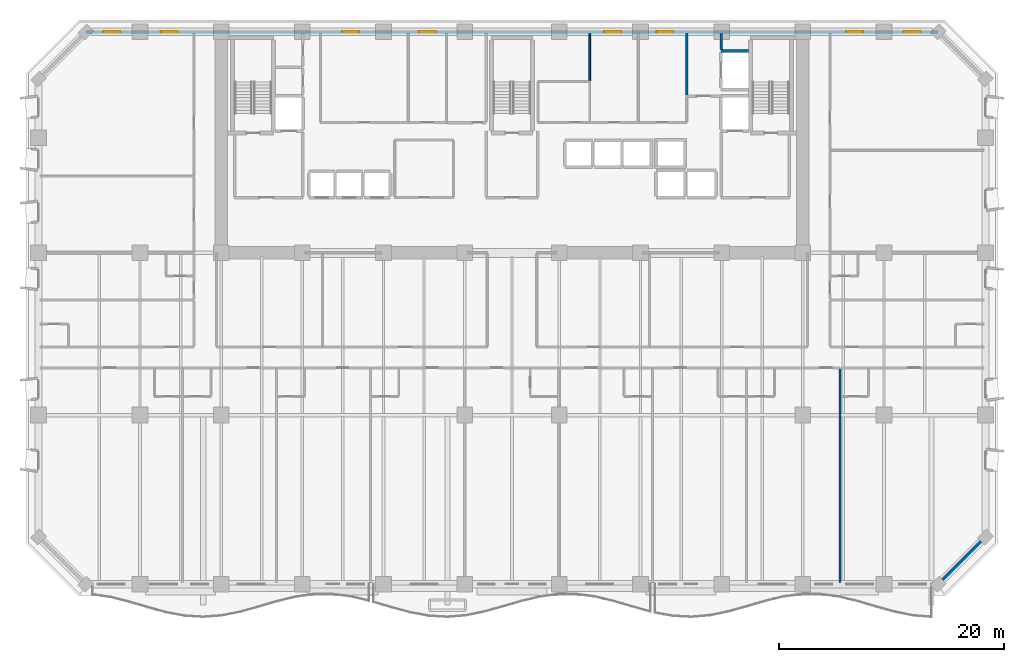
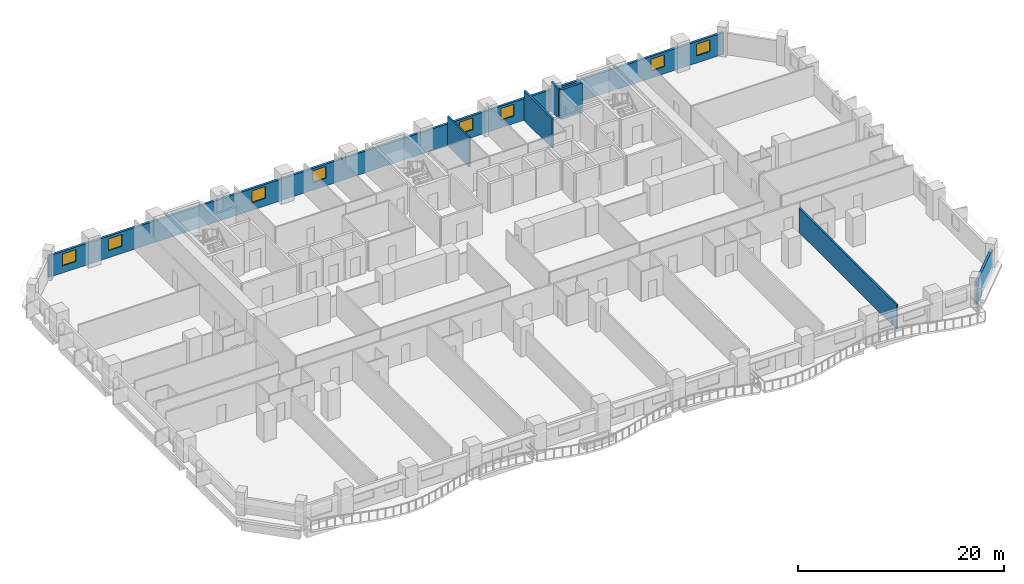
# One storey, part 9 of 15: 8 windows, 7 walls, 8 openings.
"""IFC4 building model written with IfcOpenShell, lengths in metres."""

from ifc_helpers import new_model, si_unit, direction, frame, frame_2d, origin, place, context, subcontext, project, spatial, rectangle, extrude, material, layer, layer_set, type_object, element, fill, save


model = new_model("IFC4")

# Units and contexts
model_context = context("Model", 3, precision=1e-05, world=origin(), true_north=direction((0.0, 1.0)))
body_context = subcontext(model_context, "Body", "Model", "MODEL_VIEW")
ifc_project = project(units=[si_unit("LENGTHUNIT", "METRE"), si_unit("AREAUNIT", "SQUARE_METRE"), si_unit("VOLUMEUNIT", "CUBIC_METRE"), si_unit("PLANEANGLEUNIT", "RADIAN"), si_unit("MASSUNIT", "GRAM", prefix="KILO")], contexts=[model_context])

# Site, building, storey
site_placement = place(None, origin())
site = spatial("IfcSite", under=ifc_project, at=site_placement, CompositionType="ELEMENT")
building_placement = place(site_placement, origin())
building = spatial("IfcBuilding", under=site, at=building_placement, Name="Kaelvorn Grand Hotel", CompositionType="ELEMENT")
storey_placement = place(building_placement, frame((0.0, 0.0, 72.64990234375)))
storey = spatial("IfcBuildingStorey", under=building, at=storey_placement, Name="L16", CompositionType="ELEMENT", Elevation=72.64990234375)

# Wall
ifc_material_1 = material(Name="Concrete C40/50", Category="concrete")
ifc_layer_1 = layer(ifc_material_1, 0.260009765625)
ifc_layer_set_1 = layer_set([ifc_layer_1], Name="Concrete C40/50")
wall_type_1 = type_object("IfcWallType", Name="WL-EXT-260-C40", PredefinedType="SOLIDWALL", material=ifc_layer_set_1)
wall_1_placement = place(storey_placement, frame((79.800048828125, 0.0, 0.0), z_axis=(0.0, 0.0, 1.0), x_axis=(0.707106781187, 0.707106781187, 0.0)))
element("IfcWall", 1, at=wall_1_placement, inside=storey, type_object=wall_type_1, Name="L16 Exterior Architectural Concrete Wall 02", PredefinedType="SOLIDWALL", context=body_context, shape_type="SweptSolid", body=[
    extrude(rectangle(XDim=5.939697265625, YDim=0.260009765625, at=frame_2d((2.9697265625, 0.0))), origin(), (0.0, 0.0, 1.0), 2.56005859375),
])

# Wall, openings, windows
wall_2_placement = place(storey_placement, frame((79.800048828125, 49.0, 0.0), z_axis=(0.0, 0.0, 1.0), x_axis=(-1.0, 0.0, 0.0)))
wall_2 = element("IfcWall", 2, at=wall_2_placement, inside=storey, type_object=wall_type_1, Name="L16 Exterior Architectural Concrete Wall 05", PredefinedType="SOLIDWALL", context=body_context, shape_type="SweptSolid", body=[
    extrude(rectangle(XDim=75.60009765625, YDim=0.260009765625, at=frame_2d((37.800048828125, 0.0))), origin(), (0.0, 0.0, 1.0), 2.56005859375),
])
opening_1_placement = place(wall_2_placement, frame((72.56494140625, 0.0, 0.85009765625)))
opening_1 = element("IfcOpeningElement", 3, at=opening_1_placement, cuts=wall_2, Name="Opening W10", PredefinedType="OPENING", context=body_context, shape_type="SweptSolid", body=[
    extrude(rectangle(XDim=1.5, YDim=1.39990234375, at=frame_2d((0.75, 0.699951171875))), frame((0.0, 0.14013671875, 0.0), z_axis=(0.0, -1.0, 0.0), x_axis=(1.0, 0.0, 0.0)), (0.0, 0.0, 1.0), 0.280029296875),
])
opening_2_placement = place(wall_2_placement, frame((67.449951171875, 0.0, 0.85009765625)))
opening_2 = element("IfcOpeningElement", 4, at=opening_2_placement, cuts=wall_2, Name="Opening W10", PredefinedType="OPENING", context=body_context, shape_type="SweptSolid", body=[
    extrude(rectangle(XDim=1.5, YDim=1.39990234375, at=frame_2d((0.75, 0.699951171875))), frame((0.0, 0.14013671875, 0.0), z_axis=(0.0, -1.0, 0.0), x_axis=(1.0, 0.0, 0.0)), (0.0, 0.0, 1.0), 0.280029296875),
])
opening_3_placement = place(wall_2_placement, frame((6.64990234375, 0.0, 0.85009765625)))
opening_3 = element("IfcOpeningElement", 5, at=opening_3_placement, cuts=wall_2, Name="Opening W10", PredefinedType="OPENING", context=body_context, shape_type="SweptSolid", body=[
    extrude(rectangle(XDim=1.5, YDim=1.39990234375, at=frame_2d((0.75, 0.699951171875))), frame((0.0, 0.14013671875, 0.0), z_axis=(0.0, -1.0, 0.0), x_axis=(1.0, 0.0, 0.0)), (0.0, 0.0, 1.0), 0.280029296875),
])
opening_4_placement = place(wall_2_placement, frame((1.534912109375, 0.0, 0.85009765625)))
opening_4 = element("IfcOpeningElement", 6, at=opening_4_placement, cuts=wall_2, Name="Opening W10", PredefinedType="OPENING", context=body_context, shape_type="SweptSolid", body=[
    extrude(rectangle(XDim=1.5, YDim=1.39990234375, at=frame_2d((0.75, 0.699951171875))), frame((0.0, 0.14013671875, 0.0), z_axis=(0.0, -1.0, 0.0), x_axis=(1.0, 0.0, 0.0)), (0.0, 0.0, 1.0), 0.280029296875),
])
opening_5_placement = place(wall_2_placement, frame((51.364990234375, 0.0, 0.89990234375)))
opening_5 = element("IfcOpeningElement", 7, at=opening_5_placement, cuts=wall_2, Name="Opening W10", PredefinedType="OPENING", context=body_context, shape_type="SweptSolid", body=[
    extrude(rectangle(XDim=1.5, YDim=1.39990234375, at=frame_2d((0.75, 0.699951171875))), frame((0.0, 0.14013671875, 0.0), z_axis=(0.0, -1.0, 0.0), x_axis=(1.0, 0.0, 0.0)), (0.0, 0.0, 1.0), 0.280029296875),
])
opening_6_placement = place(wall_2_placement, frame((44.550048828125, 0.0, 0.89990234375)))
opening_6 = element("IfcOpeningElement", 8, at=opening_6_placement, cuts=wall_2, Name="Opening W10", PredefinedType="OPENING", context=body_context, shape_type="SweptSolid", body=[
    extrude(rectangle(XDim=1.5, YDim=1.39990234375, at=frame_2d((0.75, 0.699951171875))), frame((0.0, 0.14013671875, 0.0), z_axis=(0.0, -1.0, 0.0), x_axis=(1.0, 0.0, 0.0)), (0.0, 0.0, 1.0), 0.280029296875),
])
opening_7_placement = place(wall_2_placement, frame((28.10009765625, 0.0, 0.89990234375)))
opening_7 = element("IfcOpeningElement", 9, at=opening_7_placement, cuts=wall_2, Name="Opening W10", PredefinedType="OPENING", context=body_context, shape_type="SweptSolid", body=[
    extrude(rectangle(XDim=1.5, YDim=1.39990234375, at=frame_2d((0.75, 0.699951171875))), frame((0.0, 0.14013671875, 0.0), z_axis=(0.0, -1.0, 0.0), x_axis=(1.0, 0.0, 0.0)), (0.0, 0.0, 1.0), 0.280029296875),
])
opening_8_placement = place(wall_2_placement, frame((23.485107421875, 0.0, 0.89990234375)))
opening_8 = element("IfcOpeningElement", 10, at=opening_8_placement, cuts=wall_2, Name="Opening W10", PredefinedType="OPENING", context=body_context, shape_type="SweptSolid", body=[
    extrude(rectangle(XDim=1.5, YDim=1.39990234375, at=frame_2d((0.75, 0.699951171875))), frame((0.0, 0.14013671875, 0.0), z_axis=(0.0, -1.0, 0.0), x_axis=(1.0, 0.0, 0.0)), (0.0, 0.0, 1.0), 0.280029296875),
])
ifc_material_2 = material(Name="Laminated Low-E Glass", Category="glass")
window_type = type_object("IfcWindowType", Name="WIN-COR-1500x1400", PartitioningType="SINGLE_PANEL", PredefinedType="WINDOW", material=ifc_material_2)
window_1_placement = place(opening_1_placement, origin())
window_1 = element("IfcWindow", 11, at=window_1_placement, inside=storey, type_object=window_type, Name="L16 North Wing Ribbon Window NW01", OverallHeight=1.39990234375, OverallWidth=1.5, PartitioningType="SINGLE_PANEL", PredefinedType="WINDOW", context=body_context, shape_type="SweptSolid", body=[
    extrude(rectangle(XDim=1.5, YDim=1.39990234375, at=frame_2d((0.75, 0.699951171875))), frame((0.0, 0.030029296875, 0.0), z_axis=(0.0, -1.0, 0.0), x_axis=(1.0, 0.0, 0.0)), (0.0, 0.0, 1.0), 0.06005859375),
])
fill(opening_1, window_1)
window_2_placement = place(opening_2_placement, origin())
window_2 = element("IfcWindow", 12, at=window_2_placement, inside=storey, type_object=window_type, Name="L16 North Wing Ribbon Window NW02", OverallHeight=1.39990234375, OverallWidth=1.5, PartitioningType="SINGLE_PANEL", PredefinedType="WINDOW", context=body_context, shape_type="SweptSolid", body=[
    extrude(rectangle(XDim=1.5, YDim=1.39990234375, at=frame_2d((0.75, 0.699951171875))), frame((0.0, 0.030029296875, 0.0), z_axis=(0.0, -1.0, 0.0), x_axis=(1.0, 0.0, 0.0)), (0.0, 0.0, 1.0), 0.06005859375),
])
fill(opening_2, window_2)
window_3_placement = place(opening_3_placement, origin())
window_3 = element("IfcWindow", 13, at=window_3_placement, inside=storey, type_object=window_type, Name="L16 North Wing Ribbon Window NW03", OverallHeight=1.39990234375, OverallWidth=1.5, PartitioningType="SINGLE_PANEL", PredefinedType="WINDOW", context=body_context, shape_type="SweptSolid", body=[
    extrude(rectangle(XDim=1.5, YDim=1.39990234375, at=frame_2d((0.75, 0.699951171875))), frame((0.0, 0.030029296875, 0.0), z_axis=(0.0, -1.0, 0.0), x_axis=(1.0, 0.0, 0.0)), (0.0, 0.0, 1.0), 0.06005859375),
])
fill(opening_3, window_3)
window_4_placement = place(opening_4_placement, origin())
window_4 = element("IfcWindow", 14, at=window_4_placement, inside=storey, type_object=window_type, Name="L16 North Wing Ribbon Window NW04", OverallHeight=1.39990234375, OverallWidth=1.5, PartitioningType="SINGLE_PANEL", PredefinedType="WINDOW", context=body_context, shape_type="SweptSolid", body=[
    extrude(rectangle(XDim=1.5, YDim=1.39990234375, at=frame_2d((0.75, 0.699951171875))), frame((0.0, 0.030029296875, 0.0), z_axis=(0.0, -1.0, 0.0), x_axis=(1.0, 0.0, 0.0)), (0.0, 0.0, 1.0), 0.06005859375),
])
fill(opening_4, window_4)
window_5_placement = place(opening_5_placement, origin())
window_5 = element("IfcWindow", 15, at=window_5_placement, inside=storey, type_object=window_type, Name="L16 North Core Clerestory Ribbon Window NC05", OverallHeight=1.39990234375, OverallWidth=1.5, PartitioningType="SINGLE_PANEL", PredefinedType="WINDOW", context=body_context, shape_type="SweptSolid", body=[
    extrude(rectangle(XDim=1.5, YDim=1.39990234375, at=frame_2d((0.75, 0.699951171875))), frame((0.0, 0.030029296875, 0.0), z_axis=(0.0, -1.0, 0.0), x_axis=(1.0, 0.0, 0.0)), (0.0, 0.0, 1.0), 0.06005859375),
])
fill(opening_5, window_5)
window_6_placement = place(opening_6_placement, origin())
window_6 = element("IfcWindow", 16, at=window_6_placement, inside=storey, type_object=window_type, Name="L16 North Core Clerestory Ribbon Window NC06", OverallHeight=1.39990234375, OverallWidth=1.5, PartitioningType="SINGLE_PANEL", PredefinedType="WINDOW", context=body_context, shape_type="SweptSolid", body=[
    extrude(rectangle(XDim=1.5, YDim=1.39990234375, at=frame_2d((0.75, 0.699951171875))), frame((0.0, 0.030029296875, 0.0), z_axis=(0.0, -1.0, 0.0), x_axis=(1.0, 0.0, 0.0)), (0.0, 0.0, 1.0), 0.06005859375),
])
fill(opening_6, window_6)
window_7_placement = place(opening_7_placement, origin())
window_7 = element("IfcWindow", 17, at=window_7_placement, inside=storey, type_object=window_type, Name="L16 North Core Clerestory Ribbon Window NC07", OverallHeight=1.39990234375, OverallWidth=1.5, PartitioningType="SINGLE_PANEL", PredefinedType="WINDOW", context=body_context, shape_type="SweptSolid", body=[
    extrude(rectangle(XDim=1.5, YDim=1.39990234375, at=frame_2d((0.75, 0.699951171875))), frame((0.0, 0.030029296875, 0.0), z_axis=(0.0, -1.0, 0.0), x_axis=(1.0, 0.0, 0.0)), (0.0, 0.0, 1.0), 0.06005859375),
])
fill(opening_7, window_7)
window_8_placement = place(opening_8_placement, origin())
window_8 = element("IfcWindow", 18, at=window_8_placement, inside=storey, type_object=window_type, Name="L16 North Core Clerestory Ribbon Window NC08", OverallHeight=1.39990234375, OverallWidth=1.5, PartitioningType="SINGLE_PANEL", PredefinedType="WINDOW", context=body_context, shape_type="SweptSolid", body=[
    extrude(rectangle(XDim=1.5, YDim=1.39990234375, at=frame_2d((0.75, 0.699951171875))), frame((0.0, 0.030029296875, 0.0), z_axis=(0.0, -1.0, 0.0), x_axis=(1.0, 0.0, 0.0)), (0.0, 0.0, 1.0), 0.06005859375),
])
fill(opening_8, window_8)

# Walls
ifc_material_3 = material(Name="Acoustic Gypsum & Stud Partition")
ifc_layer_2 = layer(ifc_material_3, 0.14990234375)
ifc_layer_set_2 = layer_set([ifc_layer_2], Name="Acoustic Gypsum & Stud Partition")
wall_type_2 = type_object("IfcWallType", Name="WL-PART-150-EI60", PredefinedType="PARTITIONING", material=ifc_layer_set_2)
wall_3_placement = place(storey_placement, frame((48.89990234375, 44.66748046875, 0.0), z_axis=(0.0, 0.0, 1.0), x_axis=(0.0, 1.0, 0.0)))
element("IfcWall", 19, at=wall_3_placement, inside=storey, type_object=wall_type_2, Name="L16 Minibar & Glassware Store W Partition", PredefinedType="PARTITIONING", context=body_context, shape_type="SweptSolid", body=[
    extrude(rectangle(XDim=4.1826171875, YDim=0.14990234375, at=frame_2d((2.09130859375, 0.0))), origin(), (0.0, 0.0, 1.0), 3.510009765625),
])
ifc_layer_3 = layer(ifc_material_3, 0.179931640625)
ifc_layer_set_3 = layer_set([ifc_layer_3], Name="Acoustic Gypsum & Stud Partition")
wall_type_3 = type_object("IfcWallType", Name="WL-PART-180-EI60", PredefinedType="PARTITIONING", material=ifc_layer_set_3)
wall_4_placement = place(storey_placement, frame((71.1162109375, 0.14990234375, 0.0), z_axis=(0.0, 0.0, 1.0), x_axis=(0.0, 1.0, 0.0)))
element("IfcWall", 20, at=wall_4_placement, inside=storey, type_object=wall_type_3, Name="L16 Deluxe Panoramic Suite L16-08 E Partition", PredefinedType="PARTITIONING", context=body_context, shape_type="SweptSolid", body=[
    extrude(rectangle(XDim=18.955078125, YDim=0.179931640625, at=frame_2d((9.4775390625, 0.0))), origin(), (0.0, 0.0, 1.0), 2.89794921875),
])
ifc_layer_4 = layer(ifc_material_1, 0.219970703125)
ifc_layer_set_4 = layer_set([ifc_layer_4], Name="Concrete C40/50")
wall_type_4 = type_object("IfcWallType", Name="WL-PART-220-EI120", PredefinedType="PARTITIONING", material=ifc_layer_set_4)
wall_5_placement = place(storey_placement, frame((57.5, 43.4150390625, 0.0), z_axis=(0.0, 0.0, 1.0), x_axis=(0.0, 1.0, 0.0)))
element("IfcWall", 21, at=wall_5_placement, inside=storey, type_object=wall_type_4, Name="L16 Service Lift Lobby W Partition", PredefinedType="PARTITIONING", context=body_context, shape_type="SweptSolid", body=[
    extrude(rectangle(XDim=5.43505859375, YDim=0.219970703125, at=frame_2d((2.717529296875, 0.0))), origin(), (0.0, 0.0, 1.0), 3.510009765625),
])
wall_6_placement = place(storey_placement, frame((60.550048828125, 47.445068359375, 0.0), z_axis=(0.0, 0.0, 1.0), x_axis=(0.0, 1.0, 0.0)))
element("IfcWall", 22, at=wall_6_placement, inside=storey, type_object=wall_type_4, Name="L16 Service Lift Lobby E Partition", PredefinedType="PARTITIONING", context=body_context, shape_type="SweptSolid", body=[
    extrude(rectangle(XDim=1.405029296875, YDim=0.219970703125, at=frame_2d((0.70263671875, 0.0))), origin(), (0.0, 0.0, 1.0), 3.510009765625),
])
ifc_material_4 = material(Name="Concrete C50/60", Category="concrete")
ifc_layer_5 = layer(ifc_material_4, 0.280029296875)
ifc_layer_set_5 = layer_set([ifc_layer_5], Name="Concrete C50/60")
wall_type_5 = type_object("IfcWallType", Name="WL-SHAFT-280-C50", PredefinedType="SHEAR", material=ifc_layer_set_5)
wall_7_placement = place(storey_placement, frame((60.550048828125, 47.300048828125, 0.0), z_axis=(0.0, 0.0, 1.0), x_axis=(1.0, 0.0, 0.0)))
element("IfcWall", 23, at=wall_7_placement, inside=storey, type_object=wall_type_5, Name="L16 Lift SV1 Shaft North Wall", PredefinedType="SHEAR", context=body_context, shape_type="SweptSolid", body=[
    extrude(rectangle(XDim=2.4150390625, YDim=0.280029296875, at=frame_2d((1.20751953125, 0.0))), origin(), (0.0, 0.0, 1.0), 3.510009765625),
])

save(model, "model.ifc")
